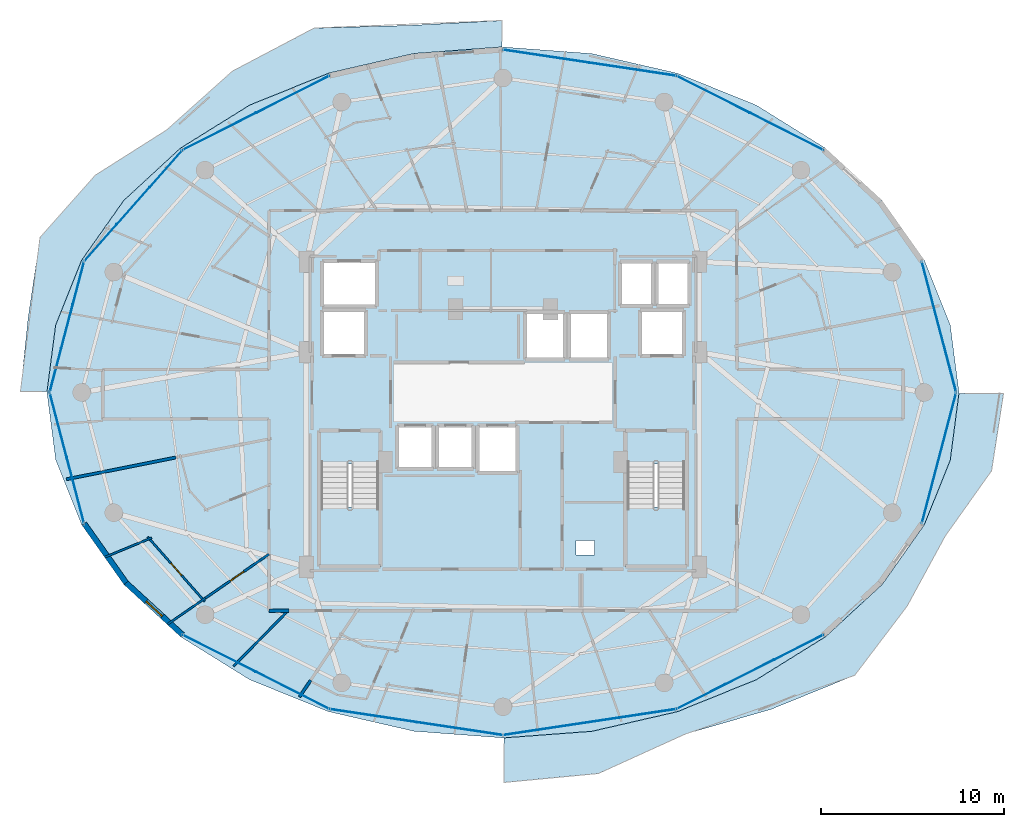
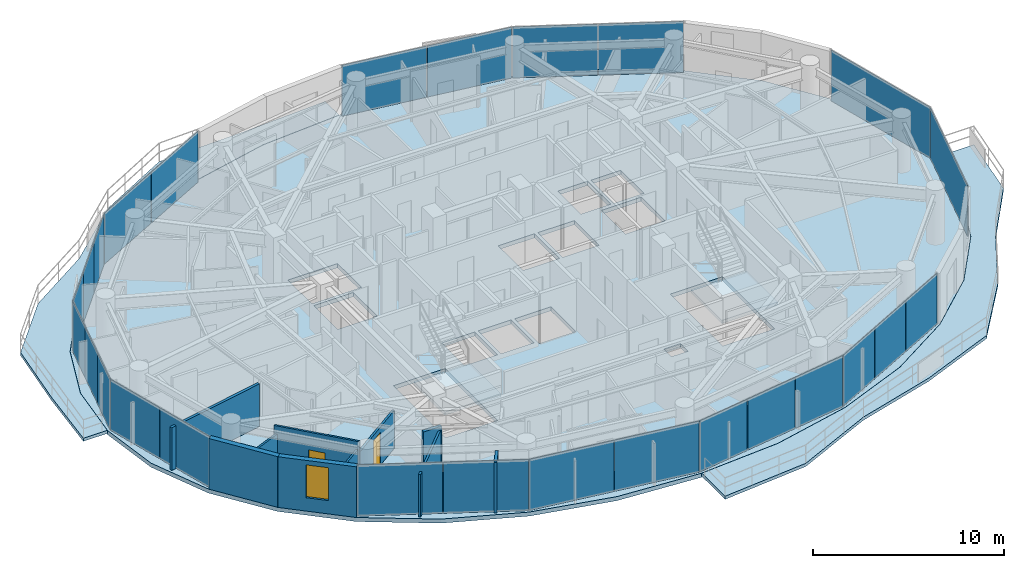
# One storey, part 20 of 30: 26 plates, 10 walls, 5 slabs, 2 doors, 1 window, 3 openings, 6 elements without a shape of their own.
"""IFC4 building model written with IfcOpenShell, lengths in metres."""

from ifc_helpers import new_model, si_unit, direction, frame, frame_2d, origin, origin_2d, place, context, subcontext, project, spatial, polyline, rectangle, outline, extrude, material, layer, layer_set, type_object, element, fill, aggregate, save


model = new_model("IFC4")

# Units and contexts
model_context = context("Model", 3, precision=1e-05, world=origin(), true_north=direction((0.0, 1.0)))
body_context = subcontext(model_context, "Body", "Model", "MODEL_VIEW")
ifc_project = project(units=[si_unit("LENGTHUNIT", "METRE"), si_unit("AREAUNIT", "SQUARE_METRE"), si_unit("VOLUMEUNIT", "CUBIC_METRE"), si_unit("PLANEANGLEUNIT", "RADIAN"), si_unit("MASSUNIT", "GRAM", prefix="KILO")], contexts=[model_context])

# Site, building, storey
site_placement = place(None, origin())
site = spatial("IfcSite", under=ifc_project, at=site_placement, CompositionType="ELEMENT")
building_placement = place(site_placement, origin())
building = spatial("IfcBuilding", under=site, at=building_placement, Name="Vorneva Point Tower", CompositionType="ELEMENT")
storey_placement = place(building_placement, frame((0.0, 0.0, 153.60009765625)))
storey = spatial("IfcBuildingStorey", under=building, at=storey_placement, Name="L41", CompositionType="ELEMENT", Elevation=153.60009765625)

# Curtain wall, plates
ifc_material_1 = material(Name="Pale anodised aluminium", Category="aluminium")
curtain_wall_type = type_object("IfcCurtainWallType", Name="CW-RES-SYS", PredefinedType="NOTDEFINED", material=ifc_material_1)
curtain_wall_1_placement = place(storey_placement, origin())
curtain_wall_1 = element("IfcCurtainWall", 1, at=curtain_wall_1_placement, inside=storey, type_object=curtain_wall_type, Name="L41 Unitised Curtain Wall CW-L41-R01", PredefinedType="NOTDEFINED")
ifc_material_2 = material(Name="Double low-e laminated glass IGU", Category="glass")
ifc_layer_1 = layer(ifc_material_2, 0.035888671875)
ifc_layer_set_1 = layer_set([ifc_layer_1], Name="Double low-e laminated glass IGU")
plate_type = type_object("IfcPlateType", Name="CW-PNL-VIS", PredefinedType="CURTAIN_PANEL", material=ifc_layer_set_1)
plate_1_placement = place(storey_placement, frame((61.856201171875, 22.412353515625, -0.02001953125), z_axis=(0.0, 0.0, 1.0), x_axis=(0.254433162972, 0.967090360608, 0.0)))
plate_1 = element("IfcPlate", 2, at=plate_1_placement, type_object=plate_type, Name="CW-L41-R01 Glazed Panel 01", PredefinedType="CURTAIN_PANEL", context=body_context, shape_type="SweptSolid", body=[
    extrude(rectangle(XDim=7.369384765625, YDim=0.035888671875, at=origin_2d()), origin(), (0.0, 0.0, 1.0), 3.280029296875),
])
plate_2_placement = place(storey_placement, frame((61.856201171875, 29.587646484375, -0.02001953125), z_axis=(0.0, 0.0, 1.0), x_axis=(-0.254433162972, 0.967090360608, 0.0)))
plate_2 = element("IfcPlate", 3, at=plate_2_placement, type_object=plate_type, Name="CW-L41-R01 Glazed Panel 02", PredefinedType="CURTAIN_PANEL", context=body_context, shape_type="SweptSolid", body=[
    extrude(rectangle(XDim=7.369384765625, YDim=0.035888671875, at=origin_2d()), origin(), (0.0, 0.0, 1.0), 3.280029296875),
])
aggregate(curtain_wall_1, [plate_1, plate_2])

curtain_wall_2_placement = place(storey_placement, origin())
curtain_wall_2 = element("IfcCurtainWall", 4, at=curtain_wall_2_placement, inside=storey, type_object=curtain_wall_type, Name="L41 Unitised Curtain Wall CW-L41-R02", PredefinedType="NOTDEFINED")
plate_3_placement = place(storey_placement, frame((53.52490234375, 40.2744140625, -0.02001953125), z_axis=(0.0, 0.0, 1.0), x_axis=(-0.892577949019, 0.450893119182, 0.0)))
plate_3 = element("IfcPlate", 5, at=plate_3_placement, type_object=plate_type, Name="CW-L41-R02 Glazed Panel 01A", PredefinedType="CURTAIN_PANEL", context=body_context, shape_type="SweptSolid", body=[
    extrude(rectangle(XDim=4.45703125, YDim=0.035888671875, at=origin_2d()), origin(), (0.0, 0.0, 1.0), 3.280029296875),
])
plate_4_placement = place(storey_placement, frame((49.501953125, 42.306640625, -0.02001953125), z_axis=(0.0, 0.0, 1.0), x_axis=(-0.892577949019, 0.450893119182, 0.0)))
plate_4 = element("IfcPlate", 6, at=plate_4_placement, type_object=plate_type, Name="CW-L41-R02 Glazed Panel 01B", PredefinedType="CURTAIN_PANEL", context=body_context, shape_type="SweptSolid", body=[
    extrude(rectangle(XDim=4.45703125, YDim=0.035888671875, at=origin_2d()), origin(), (0.0, 0.0, 1.0), 3.280029296875),
])
plate_5_placement = place(storey_placement, frame((45.117919921875, 43.679443359375, -0.02001953125), z_axis=(0.0, 0.0, 1.0), x_axis=(-0.988878712919, 0.148724211669, 0.0)))
plate_5 = element("IfcPlate", 7, at=plate_5_placement, type_object=plate_type, Name="CW-L41-R02 Glazed Panel 02A", PredefinedType="CURTAIN_PANEL", context=body_context, shape_type="SweptSolid", body=[
    extrude(rectangle(XDim=4.74853515625, YDim=0.035888671875, at=origin_2d()), origin(), (0.0, 0.0, 1.0), 3.280029296875),
])
plate_6_placement = place(storey_placement, frame((40.37255859375, 44.393310546875, -0.02001953125), z_axis=(0.0, 0.0, 1.0), x_axis=(-0.988878712919, 0.148724211669, 0.0)))
plate_6 = element("IfcPlate", 8, at=plate_6_placement, type_object=plate_type, Name="CW-L41-R02 Glazed Panel 02B", PredefinedType="CURTAIN_PANEL", context=body_context, shape_type="SweptSolid", body=[
    extrude(rectangle(XDim=4.74853515625, YDim=0.035888671875, at=origin_2d()), origin(), (0.0, 0.0, 1.0), 3.280029296875),
])
aggregate(curtain_wall_2, [plate_3, plate_4, plate_5, plate_6])

curtain_wall_3_placement = place(storey_placement, origin())
curtain_wall_3 = element("IfcCurtainWall", 9, at=curtain_wall_3_placement, inside=storey, type_object=curtain_wall_type, Name="L41 Unitised Curtain Wall CW-L41-R03", PredefinedType="NOTDEFINED")
plate_7_placement = place(storey_placement, frame((26.498046875, 42.306640625, -0.02001953125), z_axis=(0.0, 0.0, 1.0), x_axis=(-0.892577949019, -0.450893119182, 0.0)))
plate_7 = element("IfcPlate", 10, at=plate_7_placement, type_object=plate_type, Name="CW-L41-R03 Glazed Panel 01A", PredefinedType="CURTAIN_PANEL", context=body_context, shape_type="SweptSolid", body=[
    extrude(rectangle(XDim=4.45703125, YDim=0.035888671875, at=origin_2d()), origin(), (0.0, 0.0, 1.0), 3.280029296875),
])
plate_8_placement = place(storey_placement, frame((22.47509765625, 40.2744140625, -0.02001953125), z_axis=(0.0, 0.0, 1.0), x_axis=(-0.892577949019, -0.450893119182, 0.0)))
plate_8 = element("IfcPlate", 11, at=plate_8_placement, type_object=plate_type, Name="CW-L41-R03 Glazed Panel 01B", PredefinedType="CURTAIN_PANEL", context=body_context, shape_type="SweptSolid", body=[
    extrude(rectangle(XDim=4.45703125, YDim=0.035888671875, at=origin_2d()), origin(), (0.0, 0.0, 1.0), 3.280029296875),
])
plate_9_placement = place(storey_placement, frame((19.56787109375, 38.244384765625, -0.02001953125), z_axis=(0.0, 0.0, 1.0), x_axis=(-0.662214727207, -0.749314123095, 0.0)))
plate_9 = element("IfcPlate", 12, at=plate_9_placement, type_object=plate_type, Name="CW-L41-R03 Glazed Panel 02A", PredefinedType="CURTAIN_PANEL", context=body_context, shape_type="SweptSolid", body=[
    extrude(rectangle(XDim=2.656005859375, YDim=0.035888671875, at=origin_2d()), origin(), (0.0, 0.0, 1.0), 3.280029296875),
])
plate_10_placement = place(storey_placement, frame((17.77587890625, 36.216796875, -0.02001953125), z_axis=(0.0, 0.0, 1.0), x_axis=(-0.662214727207, -0.749314123095, 0.0)))
plate_10 = element("IfcPlate", 13, at=plate_10_placement, type_object=plate_type, Name="CW-L41-R03 Glazed Panel 02B", PredefinedType="CURTAIN_PANEL", context=body_context, shape_type="SweptSolid", body=[
    extrude(rectangle(XDim=2.656005859375, YDim=0.035888671875, at=origin_2d()), origin(), (0.0, 0.0, 1.0), 3.280029296875),
])
plate_11_placement = place(storey_placement, frame((15.98388671875, 34.189208984375, -0.02001953125), z_axis=(0.0, 0.0, 1.0), x_axis=(-0.662214727207, -0.749314123095, 0.0)))
plate_11 = element("IfcPlate", 14, at=plate_11_placement, type_object=plate_type, Name="CW-L41-R03 Glazed Panel 02C", PredefinedType="CURTAIN_PANEL", context=body_context, shape_type="SweptSolid", body=[
    extrude(rectangle(XDim=2.656005859375, YDim=0.035888671875, at=origin_2d()), origin(), (0.0, 0.0, 1.0), 3.280029296875),
])
plate_12_placement = place(storey_placement, frame((14.773193359375, 31.9794921875, -0.02001953125), z_axis=(0.0, 0.0, 1.0), x_axis=(-0.254433162972, -0.967090360608, 0.0)))
plate_12 = element("IfcPlate", 15, at=plate_12_placement, type_object=plate_type, Name="CW-L41-R03 Glazed Panel 03A", PredefinedType="CURTAIN_PANEL", context=body_context, shape_type="SweptSolid", body=[
    extrude(rectangle(XDim=2.423095703125, YDim=0.035888671875, at=origin_2d()), origin(), (0.0, 0.0, 1.0), 3.280029296875),
])
plate_13_placement = place(storey_placement, frame((14.143798828125, 29.587646484375, -0.02001953125), z_axis=(0.0, 0.0, 1.0), x_axis=(-0.254433162972, -0.967090360608, 0.0)))
plate_13 = element("IfcPlate", 16, at=plate_13_placement, type_object=plate_type, Name="CW-L41-R03 Glazed Panel 03B", PredefinedType="CURTAIN_PANEL", context=body_context, shape_type="SweptSolid", body=[
    extrude(rectangle(XDim=2.423095703125, YDim=0.035888671875, at=origin_2d()), origin(), (0.0, 0.0, 1.0), 3.280029296875),
])
plate_14_placement = place(storey_placement, frame((13.5146484375, 27.19580078125, -0.02001953125), z_axis=(0.0, 0.0, 1.0), x_axis=(-0.254433162972, -0.967090360608, 0.0)))
plate_14 = element("IfcPlate", 17, at=plate_14_placement, type_object=plate_type, Name="CW-L41-R03 Glazed Panel 03C", PredefinedType="CURTAIN_PANEL", context=body_context, shape_type="SweptSolid", body=[
    extrude(rectangle(XDim=2.423095703125, YDim=0.035888671875, at=origin_2d()), origin(), (0.0, 0.0, 1.0), 3.280029296875),
])
plate_15_placement = place(storey_placement, frame((13.671875, 24.206298828125, -0.02001953125), z_axis=(0.0, 0.0, 1.0), x_axis=(0.254433162972, -0.967090360608, 0.0)))
plate_15 = element("IfcPlate", 18, at=plate_15_placement, type_object=plate_type, Name="CW-L41-R03 Glazed Panel 04A", PredefinedType="CURTAIN_PANEL", context=body_context, shape_type="SweptSolid", body=[
    extrude(rectangle(XDim=3.65966796875, YDim=0.035888671875, at=origin_2d()), origin(), (0.0, 0.0, 1.0), 3.280029296875),
])
plate_16_placement = place(storey_placement, frame((14.615966796875, 20.618408203125, -0.02001953125), z_axis=(0.0, 0.0, 1.0), x_axis=(0.254433162972, -0.967090360608, 0.0)))
plate_16 = element("IfcPlate", 19, at=plate_16_placement, type_object=plate_type, Name="CW-L41-R03 Glazed Panel 04B", PredefinedType="CURTAIN_PANEL", context=body_context, shape_type="SweptSolid", body=[
    extrude(rectangle(XDim=3.65966796875, YDim=0.035888671875, at=origin_2d()), origin(), (0.0, 0.0, 1.0), 3.280029296875),
])
aggregate(curtain_wall_3, [plate_7, plate_8, plate_9, plate_10, plate_11, plate_12, plate_13, plate_14, plate_15, plate_16])

curtain_wall_4_placement = place(storey_placement, origin())
curtain_wall_4 = element("IfcCurtainWall", 20, at=curtain_wall_4_placement, inside=storey, type_object=curtain_wall_type, Name="L41 Unitised Curtain Wall CW-L41-R04", PredefinedType="NOTDEFINED")
plate_17_placement = place(storey_placement, frame((22.47509765625, 11.7255859375, -0.02001953125), z_axis=(0.0, 0.0, 1.0), x_axis=(0.892577949019, -0.450893119182, 0.0)))
plate_17 = element("IfcPlate", 21, at=plate_17_placement, type_object=plate_type, Name="CW-L41-R04 Glazed Panel 01A", PredefinedType="CURTAIN_PANEL", context=body_context, shape_type="SweptSolid", body=[
    extrude(rectangle(XDim=4.45703125, YDim=0.035888671875, at=origin_2d()), origin(), (0.0, 0.0, 1.0), 3.280029296875),
])
plate_18_placement = place(storey_placement, frame((26.498046875, 9.693359375, -0.02001953125), z_axis=(0.0, 0.0, 1.0), x_axis=(0.892577949019, -0.450893119182, 0.0)))
plate_18 = element("IfcPlate", 22, at=plate_18_placement, type_object=plate_type, Name="CW-L41-R04 Glazed Panel 01B", PredefinedType="CURTAIN_PANEL", context=body_context, shape_type="SweptSolid", body=[
    extrude(rectangle(XDim=4.45703125, YDim=0.035888671875, at=origin_2d()), origin(), (0.0, 0.0, 1.0), 3.280029296875),
])
plate_19_placement = place(storey_placement, frame((30.882080078125, 8.320556640625, -0.02001953125), z_axis=(0.0, 0.0, 1.0), x_axis=(0.988878712919, -0.148724211669, 0.0)))
plate_19 = element("IfcPlate", 23, at=plate_19_placement, type_object=plate_type, Name="CW-L41-R04 Glazed Panel 02A", PredefinedType="CURTAIN_PANEL", context=body_context, shape_type="SweptSolid", body=[
    extrude(rectangle(XDim=4.74853515625, YDim=0.035888671875, at=origin_2d()), origin(), (0.0, 0.0, 1.0), 3.280029296875),
])
plate_20_placement = place(storey_placement, frame((35.62744140625, 7.606689453125, -0.02001953125), z_axis=(0.0, 0.0, 1.0), x_axis=(0.988878712919, -0.148724211669, 0.0)))
plate_20 = element("IfcPlate", 24, at=plate_20_placement, type_object=plate_type, Name="CW-L41-R04 Glazed Panel 02B", PredefinedType="CURTAIN_PANEL", context=body_context, shape_type="SweptSolid", body=[
    extrude(rectangle(XDim=4.74853515625, YDim=0.035888671875, at=origin_2d()), origin(), (0.0, 0.0, 1.0), 3.280029296875),
])
plate_21_placement = place(storey_placement, frame((39.581787109375, 7.48779296875, -0.02001953125), z_axis=(0.0, 0.0, 1.0), x_axis=(0.988878712919, 0.148724211669, 0.0)))
plate_21 = element("IfcPlate", 25, at=plate_21_placement, type_object=plate_type, Name="CW-L41-R04 Glazed Panel 03A", PredefinedType="CURTAIN_PANEL", context=body_context, shape_type="SweptSolid", body=[
    extrude(rectangle(XDim=3.149169921875, YDim=0.035888671875, at=origin_2d()), origin(), (0.0, 0.0, 1.0), 3.280029296875),
])
plate_22_placement = place(storey_placement, frame((42.7451171875, 7.963623046875, -0.02001953125), z_axis=(0.0, 0.0, 1.0), x_axis=(0.988878712919, 0.148724211669, 0.0)))
plate_22 = element("IfcPlate", 26, at=plate_22_placement, type_object=plate_type, Name="CW-L41-R04 Glazed Panel 03B", PredefinedType="CURTAIN_PANEL", context=body_context, shape_type="SweptSolid", body=[
    extrude(rectangle(XDim=3.149169921875, YDim=0.035888671875, at=origin_2d()), origin(), (0.0, 0.0, 1.0), 3.280029296875),
])
plate_23_placement = place(storey_placement, frame((45.90869140625, 8.439453125, -0.02001953125), z_axis=(0.0, 0.0, 1.0), x_axis=(0.988878712919, 0.148724211669, 0.0)))
plate_23 = element("IfcPlate", 27, at=plate_23_placement, type_object=plate_type, Name="CW-L41-R04 Glazed Panel 03C", PredefinedType="CURTAIN_PANEL", context=body_context, shape_type="SweptSolid", body=[
    extrude(rectangle(XDim=3.149169921875, YDim=0.035888671875, at=origin_2d()), origin(), (0.0, 0.0, 1.0), 3.280029296875),
])
plate_24_placement = place(storey_placement, frame((48.831298828125, 9.354736328125, -0.02001953125), z_axis=(0.0, 0.0, 1.0), x_axis=(0.892577949019, 0.450893119182, 0.0)))
plate_24 = element("IfcPlate", 28, at=plate_24_placement, type_object=plate_type, Name="CW-L41-R04 Glazed Panel 04A", PredefinedType="CURTAIN_PANEL", context=body_context, shape_type="SweptSolid", body=[
    extrude(rectangle(XDim=2.95458984375, YDim=0.035888671875, at=origin_2d()), origin(), (0.0, 0.0, 1.0), 3.280029296875),
])
plate_25_placement = place(storey_placement, frame((51.513427734375, 10.70947265625, -0.02001953125), z_axis=(0.0, 0.0, 1.0), x_axis=(0.892577949019, 0.450893119182, 0.0)))
plate_25 = element("IfcPlate", 29, at=plate_25_placement, type_object=plate_type, Name="CW-L41-R04 Glazed Panel 04B", PredefinedType="CURTAIN_PANEL", context=body_context, shape_type="SweptSolid", body=[
    extrude(rectangle(XDim=2.95458984375, YDim=0.035888671875, at=origin_2d()), origin(), (0.0, 0.0, 1.0), 3.280029296875),
])
plate_26_placement = place(storey_placement, frame((54.1953125, 12.064208984375, -0.02001953125), z_axis=(0.0, 0.0, 1.0), x_axis=(0.892577949019, 0.450893119182, 0.0)))
plate_26 = element("IfcPlate", 30, at=plate_26_placement, type_object=plate_type, Name="CW-L41-R04 Glazed Panel 04C", PredefinedType="CURTAIN_PANEL", context=body_context, shape_type="SweptSolid", body=[
    extrude(rectangle(XDim=2.95458984375, YDim=0.035888671875, at=origin_2d()), origin(), (0.0, 0.0, 1.0), 3.280029296875),
])
aggregate(curtain_wall_4, [plate_17, plate_18, plate_19, plate_20, plate_21, plate_22, plate_23, plate_24, plate_25, plate_26])

# Slabs
ifc_material_3 = material(Name="Concrete B50 (C40/50)", Category="concrete")
ifc_layer_2 = layer(ifc_material_3, 0.199951171875)
ifc_layer_set_2 = layer_set([ifc_layer_2], Name="Concrete B50 (C40/50)")
slab_type_1 = type_object("IfcSlabType", Name="SLB-BAL-200", PredefinedType="FLOOR", material=ifc_layer_set_2)
slab_1_placement = place(storey_placement, frame((0.0, 0.0, -0.2001953125)))
element("IfcSlab", 31, at=slab_1_placement, inside=storey, type_object=slab_type_1, Name="L41 Cantilevered Wave Balcony NW", PredefinedType="FLOOR", context=body_context, shape_type="SweptSolid", body=[
    extrude(outline(polyline([(11.60009765625, 26.050048828125), (13.052490234375, 26.050048828125), (13.525390625, 29.687744140625), (13.525390625, 29.68798828125), (13.525634765625, 29.6884765625), (13.525634765625, 29.688720703125), (14.945556640625, 33.234130859375), (14.94580078125, 33.234619140625), (14.94580078125, 33.235107421875), (17.25146484375, 36.502685546875), (17.251708984375, 36.5029296875), (17.252197265625, 36.503173828125), (20.35498046875, 39.3671875), (20.355224609375, 39.367431640625), (20.355712890625, 39.36767578125), (24.136474609375, 41.71826171875), (24.13671875, 41.718505859375), (24.136962890625, 41.718505859375), (28.450439453125, 43.465087890625), (28.45068359375, 43.465087890625), (28.451171875, 43.465087890625), (33.131591796875, 44.540771484375), (33.1318359375, 44.540771484375), (33.132080078125, 44.540771484375), (37.949951171875, 44.900390625), (37.949951171875, 46.352294921875), (32.89990234375, 46.08056640625), (27.674560546875, 45.93896484375), (23.1962890625, 43.576416015625), (19.602783203125, 40.360595703125), (15.68994140625, 37.880615234375), (12.6708984375, 34.478515625), (12.01953125, 30.083740234375), (11.60009765625, 26.050048828125)])), origin(), (0.0, 0.0, 1.0), 0.2001953125),
])
slab_2_placement = place(storey_placement, frame((0.0, 0.0, -0.2001953125)))
element("IfcSlab", 32, at=slab_2_placement, inside=storey, type_object=slab_type_1, Name="L41 Cantilevered Wave Balcony SE", PredefinedType="FLOOR", context=body_context, shape_type="SweptSolid", body=[
    extrude(outline(polyline([(64.73291015625, 21.71875), (65.38720703125, 25.949951171875), (62.947509765625, 25.949951171875), (62.474609375, 22.312255859375), (62.474609375, 22.31201171875), (62.474365234375, 22.3115234375), (62.474365234375, 22.311279296875), (61.054443359375, 18.765869140625), (61.05419921875, 18.765380859375), (61.05419921875, 18.764892578125), (58.74853515625, 15.497314453125), (58.748291015625, 15.4970703125), (58.747802734375, 15.496826171875), (55.64501953125, 12.6328125), (55.644775390625, 12.632568359375), (55.644287109375, 12.63232421875), (51.863525390625, 10.28173828125), (51.86328125, 10.281494140625), (51.863037109375, 10.281494140625), (47.549560546875, 8.534912109375), (47.54931640625, 8.534912109375), (47.548828125, 8.534912109375), (42.868408203125, 7.459228515625), (42.8681640625, 7.459228515625), (42.867919921875, 7.459228515625), (38.050048828125, 7.099609375), (38.050048828125, 4.65966796875), (43.216064453125, 5.150390625), (47.93798828125, 7.295166015625), (52.680419921875, 8.667236328125), (57.242431640625, 10.523193359375), (60.10498046875, 14.300048828125), (62.1943359375, 18.14208984375), (64.73291015625, 21.71875)])), origin(), (0.0, 0.0, 1.0), 0.2001953125),
])

# Stair, slab
stair_type = type_object("IfcStairType", Name="ST-DOG-1500", PredefinedType="HALF_TURN_STAIR", material=ifc_material_3)
stair_1_placement = place(storey_placement, origin())
stair_1 = element("IfcStair", 33, at=stair_1_placement, inside=storey, type_object=stair_type, Name="L41 ST1", PredefinedType="HALF_TURN_STAIR")
ifc_layer_3 = layer(ifc_material_3, 0.199951171875)
ifc_layer_set_3 = layer_set([ifc_layer_3], Name="Concrete B50 (C40/50)")
slab_type_2 = type_object("IfcSlabType", Name="SLB-LND-200", PredefinedType="LANDING", material=ifc_layer_set_3)
slab_3_placement = place(storey_placement, frame((0.0, 0.0, 1.5498046875)))
slab_3 = element("IfcSlab", 34, at=slab_3_placement, type_object=slab_type_2, Name="ST1 landing 1", PredefinedType="LANDING", context=body_context, shape_type="SweptSolid", body=[
    extrude(outline(polyline([(27.929931640625, 16.47998046875), (31.320068359375, 16.47998046875), (31.320068359375, 19.72998046875), (27.929931640625, 19.72998046875), (27.929931640625, 16.47998046875)])), origin(), (0.0, 0.0, 1.0), 0.2001953125),
])
aggregate(stair_1, [slab_3])

stair_2_placement = place(storey_placement, origin())
stair_2 = element("IfcStair", 35, at=stair_2_placement, inside=storey, type_object=stair_type, Name="L41 ST2", PredefinedType="HALF_TURN_STAIR")
slab_4_placement = place(storey_placement, frame((0.0, 0.0, 1.5498046875)))
slab_4 = element("IfcSlab", 36, at=slab_4_placement, type_object=slab_type_2, Name="ST2 landing 1", PredefinedType="LANDING", context=body_context, shape_type="SweptSolid", body=[
    extrude(outline(polyline([(44.679931640625, 16.47998046875), (48.070068359375, 16.47998046875), (48.070068359375, 19.72998046875), (44.679931640625, 19.72998046875), (44.679931640625, 16.47998046875)])), origin(), (0.0, 0.0, 1.0), 0.2001953125),
])
aggregate(stair_2, [slab_4])

# Slab
ifc_layer_4 = layer(ifc_material_3, 0.260009765625)
ifc_layer_set_4 = layer_set([ifc_layer_4], Name="Concrete B50 (C40/50)")
slab_type_3 = type_object("IfcSlabType", Name="SLB-TYP-260", PredefinedType="FLOOR", material=ifc_layer_set_4)
slab_5_placement = place(storey_placement, frame((0.0, 0.0, -0.260009765625)))
element("IfcSlab", 37, at=slab_5_placement, inside=storey, type_object=slab_type_3, Name="L41 Structural Floor Plate", PredefinedType="FLOOR", context=body_context, shape_type="SweptSolid", body=[
    extrude(outline(polyline([(62.949951171875, 26.0), (62.470703125, 29.687255859375), (61.05078125, 33.232666015625), (58.7451171875, 36.500244140625), (55.642333984375, 39.3642578125), (51.861572265625, 41.71484375), (47.548095703125, 43.461181640625), (42.867431640625, 44.536865234375), (38.0, 44.89990234375), (33.132568359375, 44.536865234375), (28.451904296875, 43.461181640625), (24.138427734375, 41.71484375), (20.357666015625, 39.3642578125), (17.2548828125, 36.500244140625), (14.94921875, 33.232666015625), (13.529296875, 29.687255859375), (13.050048828125, 26.0), (13.529296875, 22.312744140625), (14.94921875, 18.767333984375), (17.2548828125, 15.499755859375), (20.357666015625, 12.6357421875), (24.138427734375, 10.28515625), (28.451904296875, 8.538818359375), (33.132568359375, 7.463134765625), (38.0, 7.10009765625), (42.867431640625, 7.463134765625), (47.548095703125, 8.538818359375), (51.861572265625, 10.28515625), (55.642333984375, 12.6357421875), (58.7451171875, 15.499755859375), (61.05078125, 18.767333984375), (62.470703125, 22.312744140625), (62.949951171875, 26.0)]), holes=[polyline([(32.199951171875, 21.800048828125), (34.199951171875, 21.800048828125), (34.199951171875, 24.199951171875), (32.199951171875, 24.199951171875), (32.199951171875, 21.800048828125)]), polyline([(34.39990234375, 21.800048828125), (36.39990234375, 21.800048828125), (36.39990234375, 24.199951171875), (34.39990234375, 24.199951171875), (34.39990234375, 21.800048828125)]), polyline([(36.60009765625, 21.60009765625), (38.800048828125, 21.60009765625), (38.800048828125, 24.199951171875), (36.60009765625, 24.199951171875), (36.60009765625, 21.60009765625)]), polyline([(39.199951171875, 27.800048828125), (41.39990234375, 27.800048828125), (41.39990234375, 30.39990234375), (39.199951171875, 30.39990234375), (39.199951171875, 27.800048828125)]), polyline([(41.60009765625, 27.800048828125), (43.800048828125, 27.800048828125), (43.800048828125, 30.39990234375), (41.60009765625, 30.39990234375), (41.60009765625, 27.800048828125)]), polyline([(44.39990234375, 30.739990234375), (46.199951171875, 30.739990234375), (46.199951171875, 33.159912109375), (44.39990234375, 33.159912109375), (44.39990234375, 30.739990234375)]), polyline([(46.39990234375, 30.739990234375), (48.199951171875, 30.739990234375), (48.199951171875, 33.159912109375), (46.39990234375, 33.159912109375), (46.39990234375, 30.739990234375)]), polyline([(28.10009765625, 28.0), (30.5, 28.0), (30.5, 30.5), (28.10009765625, 30.5), (28.10009765625, 28.0)]), polyline([(45.5, 28.0), (47.89990234375, 28.0), (47.89990234375, 30.5), (45.5, 30.5), (45.5, 28.0)]), polyline([(28.10009765625, 30.699951171875), (31.10009765625, 30.699951171875), (31.10009765625, 33.199951171875), (28.10009765625, 33.199951171875), (28.10009765625, 30.699951171875)]), polyline([(28.050048828125, 16.60009765625), (31.199951171875, 16.60009765625), (31.199951171875, 22.080078125), (28.050048828125, 22.080078125), (28.050048828125, 16.60009765625)]), polyline([(44.800048828125, 16.60009765625), (47.949951171875, 16.60009765625), (47.949951171875, 22.080078125), (44.800048828125, 22.080078125), (44.800048828125, 16.60009765625)]), polyline([(42.0, 17.10009765625), (43.0, 17.10009765625), (43.0, 17.89990234375), (42.0, 17.89990234375), (42.0, 17.10009765625)])]), origin(), (0.0, 0.0, 1.0), 0.260009765625),
])

# Wall
ifc_material_4 = material(Name="Precast concrete B50 (C40/50)", Category="concrete")
ifc_layer_5 = layer(ifc_material_4, 0.300048828125)
ifc_layer_set_5 = layer_set([ifc_layer_5], Name="Precast concrete B50 (C40/50)")
wall_type_1 = type_object("IfcWallType", Name="WL-EXT-300", PredefinedType="STANDARD", material=ifc_layer_set_5)
wall_1_placement = place(storey_placement, frame((15.087890625, 18.82470703125, 0.0), z_axis=(0.0, 0.0, 1.0), x_axis=(0.577269753207, -0.816553508371, 0.0)))
element("IfcWall", 38, at=wall_1_placement, inside=storey, type_object=wall_type_1, Name="L41 Pale-Metal Facade Spandrel Wall 10.1", PredefinedType="STANDARD", context=body_context, shape_type="SweptSolid", body=[
    extrude(rectangle(XDim=3.969970703125, YDim=0.300048828125, at=frame_2d((1.98486328125, 0.0))), origin(), (0.0, 0.0, 1.0), 3.239990234375),
])

# Wall, opening, window
wall_2_placement = place(storey_placement, frame((17.379638671875, 15.5830078125, 0.0), z_axis=(0.0, 0.0, 1.0), x_axis=(0.735477154165, -0.677549522693, 0.0)))
wall_2 = element("IfcWall", 39, at=wall_2_placement, inside=storey, type_object=wall_type_1, Name="L41 Pale-Metal Facade Spandrel Wall 10.2", PredefinedType="STANDARD", context=body_context, shape_type="SweptSolid", body=[
    extrude(rectangle(XDim=4.193603515625, YDim=0.300048828125, at=frame_2d((2.0966796875, 0.0))), origin(), (0.0, 0.0, 1.0), 3.239990234375),
])
opening_1_placement = place(wall_2_placement, frame((1.496826171875, 0.0, 0.85009765625)))
opening_1 = element("IfcOpeningElement", 40, at=opening_1_placement, cuts=wall_2, Name="Opening W-04", PredefinedType="OPENING", context=body_context, shape_type="SweptSolid", body=[
    extrude(rectangle(XDim=1.199951171875, YDim=2.10009765625, at=frame_2d((0.60009765625, 1.050048828125))), frame((0.0, 0.1650390625, 0.0), z_axis=(0.0, -1.0, 0.0), x_axis=(1.0, 0.0, 0.0)), (0.0, 0.0, 1.0), 0.329833984375),
])
window_type = type_object("IfcWindowType", Name="WN-RES-1200", PartitioningType="SINGLE_PANEL", PredefinedType="WINDOW", material=ifc_material_2)
window_placement = place(opening_1_placement, origin())
window = element("IfcWindow", 41, at=window_placement, inside=storey, type_object=window_type, Name="L41 Facade Window 10", OverallHeight=2.10009765625, OverallWidth=1.199951171875, PartitioningType="SINGLE_PANEL", PredefinedType="WINDOW", context=body_context, shape_type="SweptSolid", body=[
    extrude(rectangle(XDim=1.199951171875, YDim=2.10009765625, at=frame_2d((0.60009765625, 1.050048828125))), frame((0.0, 0.030029296875, 0.0), z_axis=(0.0, -1.0, 0.0), x_axis=(1.0, 0.0, 0.0)), (0.0, 0.0, 1.0), 0.06005859375),
])
fill(opening_1, window)

# Wall
ifc_material_5 = material(Name="Fire-rated acoustic gypsum stud partition", Category="gypsum")
ifc_layer_6 = layer(ifc_material_5, 0.110107421875)
ifc_layer_set_6 = layer_set([ifc_layer_6], Name="Fire-rated acoustic gypsum stud partition")
wall_type_2 = type_object("IfcWallType", Name="WL-PART-110", PredefinedType="PARTITIONING", material=ifc_layer_set_6)
wall_3_placement = place(storey_placement, frame((16.2216796875, 16.987548828125, 0.0), z_axis=(0.0, 0.0, 1.0), x_axis=(0.924067287951, 0.382229835751, 0.0)))
element("IfcWall", 42, at=wall_3_placement, inside=storey, type_object=wall_type_2, Name="L41 Interior Partition 113", PredefinedType="PARTITIONING", context=body_context, shape_type="SweptSolid", body=[
    extrude(rectangle(XDim=2.770263671875, YDim=0.110107421875, at=frame_2d((1.38525390625, 0.0))), origin(), (0.0, 0.0, 1.0), 2.727783203125),
])

# Wall, opening, door
wall_4_placement = place(storey_placement, frame((18.559326171875, 18.097900390625, 0.0), z_axis=(0.0, 0.0, 1.0), x_axis=(0.662122223318, -0.749395864272, 0.0)))
wall_4 = element("IfcWall", 43, at=wall_4_placement, inside=storey, type_object=wall_type_2, Name="L41 Interior Partition 114", PredefinedType="PARTITIONING", context=body_context, shape_type="SweptSolid", body=[
    extrude(rectangle(XDim=4.724853515625, YDim=0.110107421875, at=frame_2d((2.3623046875, 0.0))), origin(), (0.0, 0.0, 1.0), 3.239990234375),
])
opening_2_placement = place(wall_4_placement, frame((1.912353515625, 0.0, 0.0)))
opening_2 = element("IfcOpeningElement", 44, at=opening_2_placement, cuts=wall_4, Name="Opening ID-01", PredefinedType="OPENING", context=body_context, shape_type="SweptSolid", body=[
    extrude(rectangle(XDim=0.89990234375, YDim=2.10009765625, at=frame_2d((0.449951171875, 1.050048828125))), frame((0.0, 0.06982421875, 0.0), z_axis=(0.0, -1.0, 0.0), x_axis=(1.0, 0.0, 0.0)), (0.0, 0.0, 1.0), 0.139892578125),
])
ifc_material_6 = material(Name="Engineered oak fire-rated door leaf", Category="wood")
door_type = type_object("IfcDoorType", Name="DR-ROOM-900", OperationType="NOTDEFINED", PredefinedType="DOOR", material=ifc_material_6)
door_1_placement = place(opening_2_placement, origin())
door_1 = element("IfcDoor", 45, at=door_1_placement, inside=storey, type_object=door_type, Name="L41 Door Living and Dining Room L41-05 / Kitchen L41-05", OperationType="SINGLE_SWING_RIGHT", OverallHeight=2.10009765625, OverallWidth=0.89990234375, PredefinedType="DOOR", context=body_context, shape_type="SweptSolid", body=[
    extrude(rectangle(XDim=0.89990234375, YDim=2.10009765625, at=frame_2d((0.449951171875, 1.050048828125))), frame((0.0, 0.02490234375, 0.0), z_axis=(0.0, -1.0, 0.0), x_axis=(1.0, 0.0, 0.0)), (0.0, 0.0, 1.0), 0.050048828125),
])
fill(opening_2, door_1)

# Wall
wall_5_placement = place(storey_placement, frame((21.710205078125, 14.74169921875, 0.0), z_axis=(0.0, 0.0, 1.0), x_axis=(-0.822632807799, -0.568573006335, 0.0)))
element("IfcWall", 46, at=wall_5_placement, inside=storey, type_object=wall_type_2, Name="L41 Interior Partition 115", PredefinedType="PARTITIONING", context=body_context, shape_type="SweptSolid", body=[
    extrude(rectangle(XDim=2.511962890625, YDim=0.110107421875, at=frame_2d((1.255859375, 0.0))), origin(), (0.0, 0.0, 1.0), 2.727783203125),
])

# Wall, opening, door
ifc_layer_7 = layer(ifc_material_5, 0.125)
ifc_layer_set_7 = layer_set([ifc_layer_7], Name="Fire-rated acoustic gypsum stud partition")
wall_type_3 = type_object("IfcWallType", Name="WL-PART-125", PredefinedType="PARTITIONING", material=ifc_layer_set_7)
wall_6_placement = place(storey_placement, frame((21.710205078125, 14.741455078125, 0.0), z_axis=(0.0, 0.0, 1.0), x_axis=(0.822672586971, 0.568515448027, 0.0)))
wall_6 = element("IfcWall", 47, at=wall_6_placement, inside=storey, type_object=wall_type_3, Name="L41 Interior Partition 116", PredefinedType="PARTITIONING", context=body_context, shape_type="SweptSolid", body=[
    extrude(rectangle(XDim=4.241943359375, YDim=0.125, at=frame_2d((2.12109375, 0.0))), origin(), (0.0, 0.0, 1.0), 2.431884765625),
])
opening_3_placement = place(wall_6_placement, frame((1.6708984375, 0.0, 0.0)))
opening_3 = element("IfcOpeningElement", 48, at=opening_3_placement, cuts=wall_6, Name="Opening ID-01", PredefinedType="OPENING", context=body_context, shape_type="SweptSolid", body=[
    extrude(rectangle(XDim=0.89990234375, YDim=2.10009765625, at=frame_2d((0.449951171875, 1.050048828125))), frame((0.0, 0.077392578125, 0.0), z_axis=(0.0, -1.0, 0.0), x_axis=(1.0, 0.0, 0.0)), (0.0, 0.0, 1.0), 0.15478515625),
])
door_2_placement = place(opening_3_placement, origin())
door_2 = element("IfcDoor", 49, at=door_2_placement, inside=storey, type_object=door_type, Name="L41 Door Living and Dining Room L41-05 / Master Bedroom L41-05.1", OperationType="SINGLE_SWING_LEFT", OverallHeight=2.10009765625, OverallWidth=0.89990234375, PredefinedType="DOOR", context=body_context, shape_type="SweptSolid", body=[
    extrude(rectangle(XDim=0.89990234375, YDim=2.10009765625, at=frame_2d((0.449951171875, 1.050048828125))), frame((0.0, 0.02490234375, 0.0), z_axis=(0.0, -1.0, 0.0), x_axis=(1.0, 0.0, 0.0)), (0.0, 0.0, 1.0), 0.050048828125),
])
fill(opening_3, door_2)

# Walls
wall_7_placement = place(storey_placement, frame((23.2490234375, 11.014892578125, 0.0), z_axis=(0.0, 0.0, 1.0), x_axis=(0.701437189486, 0.712731274188, 0.0)))
element("IfcWall", 50, at=wall_7_placement, inside=storey, type_object=wall_type_3, Name="L41 Interior Partition 117", PredefinedType="PARTITIONING", context=body_context, shape_type="SweptSolid", body=[
    extrude(rectangle(XDim=4.258544921875, YDim=0.125, at=frame_2d((2.12939453125, 0.0))), origin(), (0.0, 0.0, 1.0), 2.727783203125),
])
ifc_layer_8 = layer(ifc_material_5, 0.159912109375)
ifc_layer_set_8 = layer_set([ifc_layer_8], Name="Fire-rated acoustic gypsum stud partition")
wall_type_4 = type_object("IfcWallType", Name="WL-PART-160", PredefinedType="PARTITIONING", material=ifc_layer_set_8)
wall_8_placement = place(storey_placement, frame((14.116943359375, 21.2490234375, 0.0), z_axis=(0.0, 0.0, 1.0), x_axis=(0.980766298352, 0.19518572698, 0.0)))
element("IfcWall", 51, at=wall_8_placement, inside=storey, type_object=wall_type_4, Name="L41 Interior Partition 107", PredefinedType="PARTITIONING", context=body_context, shape_type="SweptSolid", body=[
    extrude(rectangle(XDim=6.1064453125, YDim=0.159912109375, at=frame_2d((3.05322265625, 0.0))), origin(), (0.0, 0.0, 1.0), 2.727783203125),
])
wall_9_placement = place(storey_placement, frame((26.868896484375, 9.341064453125, 0.0), z_axis=(0.0, 0.0, 1.0), x_axis=(0.555772359104, 0.831334520428, 0.0)))
element("IfcWall", 52, at=wall_9_placement, inside=storey, type_object=wall_type_4, Name="L41 Interior Partition 118", PredefinedType="PARTITIONING", context=body_context, shape_type="SweptSolid", body=[
    extrude(rectangle(XDim=1.10302734375, YDim=0.159912109375, at=frame_2d((0.551513671875, 0.0))), origin(), (0.0, 0.0, 1.0), 3.239990234375),
])
ifc_material_7 = material(Name="Autoclaved aerated concrete blockwork", Category="masonry")
ifc_layer_9 = layer(ifc_material_7, 0.179931640625)
ifc_layer_set_9 = layer_set([ifc_layer_9], Name="Autoclaved aerated concrete blockwork")
wall_type_5 = type_object("IfcWallType", Name="WL-PART-180", PredefinedType="PARTITIONING", material=ifc_layer_set_9)
wall_10_placement = place(storey_placement, frame((25.199951171875, 14.050048828125, 0.0), z_axis=(0.0, 0.0, 1.0), x_axis=(1.0, 0.0, 0.0)))
element("IfcWall", 53, at=wall_10_placement, inside=storey, type_object=wall_type_5, Name="L41 Interior Partition 051", PredefinedType="PARTITIONING", context=body_context, shape_type="SweptSolid", body=[
    extrude(rectangle(XDim=1.095947265625, YDim=0.179931640625, at=frame_2d((0.5478515625, 0.0))), origin(), (0.0, 0.0, 1.0), 2.971923828125),
])

save(model, "model.ifc")
